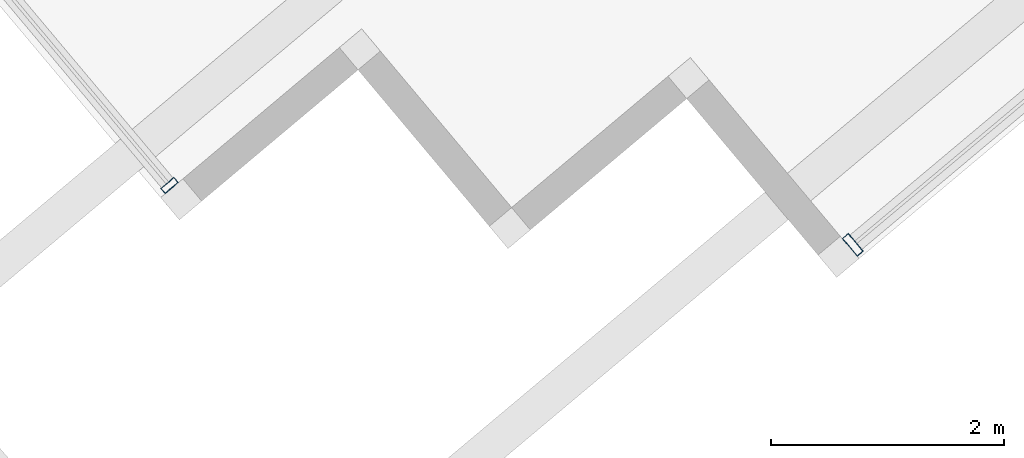
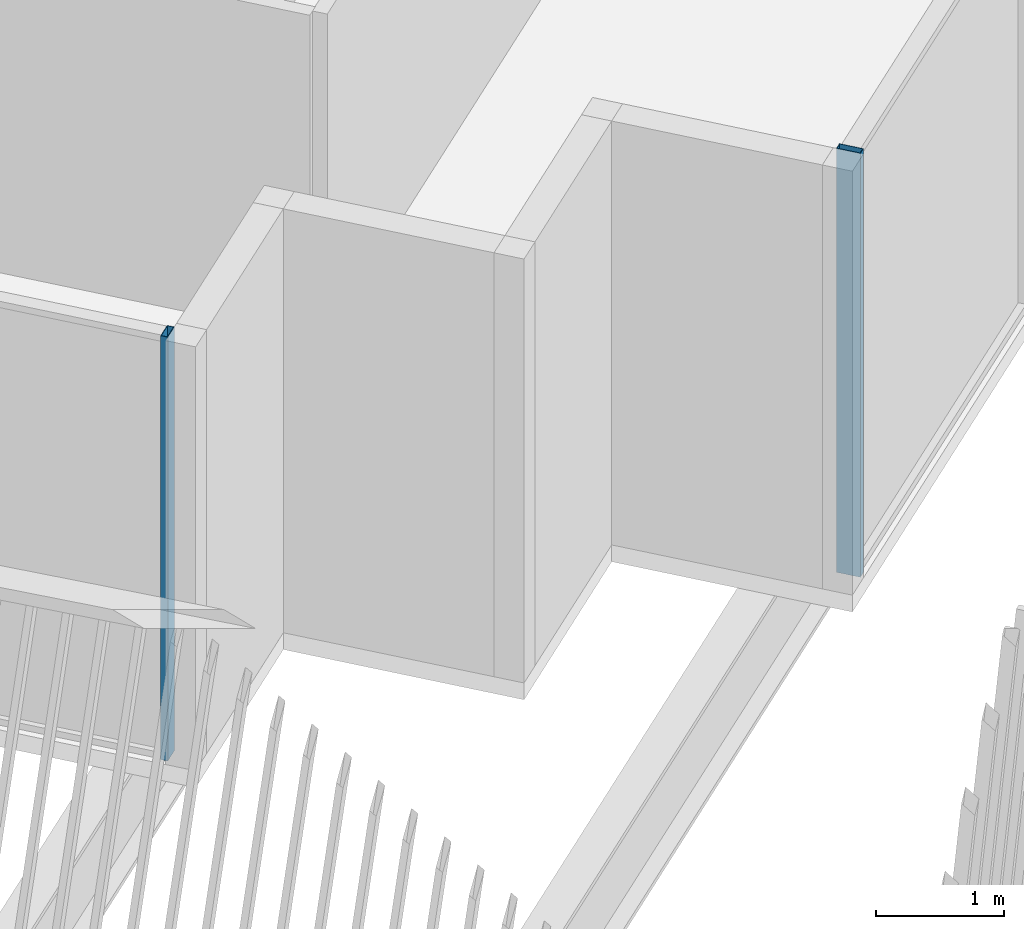
# One storey, part 10 of 31: 2 members, 2 elements without a shape of their own.
"""IFC4 building model written with IfcOpenShell, lengths in metres."""

from ifc_helpers import new_model, si_unit, direction, frame, origin, origin_2d, place, context, subcontext, project, spatial, hollow_rectangle, extrude, material, layer, layer_set, material_profile, profile_set, type_object, element, aggregate, save


model = new_model("IFC4")

# Units and contexts
model_context = context("Model", 3, precision=1e-05, world=origin(), true_north=direction((0.0, 1.0)))
body_context = subcontext(model_context, "Body", "Model", "MODEL_VIEW")
ifc_project = project(units=[si_unit("LENGTHUNIT", "METRE"), si_unit("AREAUNIT", "SQUARE_METRE"), si_unit("VOLUMEUNIT", "CUBIC_METRE"), si_unit("PLANEANGLEUNIT", "RADIAN"), si_unit("MASSUNIT", "GRAM", prefix="KILO")], contexts=[model_context])

# Site, building, storey
site_placement = place(None, origin())
site = spatial("IfcSite", under=ifc_project, at=site_placement, CompositionType="ELEMENT")
building_placement = place(site_placement, origin())
building = spatial("IfcBuilding", under=site, at=building_placement, Name="Tarsis Ring Headquarters", CompositionType="ELEMENT")
storey_placement = place(building_placement, frame((0.0, 0.0, 390.199951171875)))
storey = spatial("IfcBuildingStorey", under=building, at=storey_placement, Name="L92", CompositionType="ELEMENT", Elevation=390.199951171875)

# Curtain wall, member
ifc_material_1 = material(Name="Aluminium curtain wall", Category="aluminium")
ifc_layer_1 = layer(ifc_material_1, 0.199951171875)
ifc_layer_set_1 = layer_set([ifc_layer_1], Name="Curtain wall executive tip")
curtain_wall_type_1 = type_object("IfcCurtainWallType", Name="Curtain wall executive tip", PredefinedType="NOTDEFINED", material=ifc_layer_set_1)
curtain_wall_1_placement = place(storey_placement, origin())
curtain_wall_1 = element("IfcCurtainWall", 1, at=curtain_wall_1_placement, inside=storey, type_object=curtain_wall_type_1, Name="Curtain wall L92-11", PredefinedType="NOTDEFINED")
ifc_material_2 = material(Name="Aluminium mullion", Category="aluminium")
ifc_material_profile_1 = material_profile(ifc_material_2, hollow_rectangle(XDim=0.199951171875, YDim=0.070068359375, WallThickness=0.0048828125, at=origin_2d()), Name="RHS 200x70x5")
ifc_profile_set_1 = profile_set([ifc_material_profile_1], Name="Aluminium mullion")
member_type_1 = type_object("IfcMemberType", Name="Curtain wall mullion executive tip RHS 200x70x5", PredefinedType="MULLION", material=ifc_profile_set_1)
member_1_placement = place(storey_placement, frame((14.578857421875, -29.376708984375, 0.0), z_axis=(0.0, 0.0, 1.0), x_axis=(-0.642787677018, 0.766044386621, 0.0)))
member_1 = element("IfcMember", 2, at=member_1_placement, type_object=member_type_1, Name="CW-E mullion 1", PredefinedType="MULLION", context=body_context, shape_type="SweptSolid", body=[
    extrude(hollow_rectangle(XDim=0.199951171875, YDim=0.070068359375, WallThickness=0.0048828125, at=origin_2d()), origin(), (0.0, 0.0, 1.0), 4.0400390625),
])
aggregate(curtain_wall_1, [member_1])

ifc_layer_2 = layer(ifc_material_1, 0.14990234375)
ifc_layer_set_2 = layer_set([ifc_layer_2], Name="Curtain wall tower unit")
curtain_wall_type_2 = type_object("IfcCurtainWallType", Name="Curtain wall tower unit", PredefinedType="NOTDEFINED", material=ifc_layer_set_2)
curtain_wall_2_placement = place(storey_placement, origin())
curtain_wall_2 = element("IfcCurtainWall", 3, at=curtain_wall_2_placement, inside=storey, type_object=curtain_wall_type_2, Name="Curtain wall L92-06", PredefinedType="NOTDEFINED")
ifc_material_profile_2 = material_profile(ifc_material_2, hollow_rectangle(XDim=0.14990234375, YDim=0.06005859375, WallThickness=0.0048828125, at=origin_2d()), Name="RHS 150x60x5")
ifc_profile_set_2 = profile_set([ifc_material_profile_2], Name="Aluminium mullion")
member_type_2 = type_object("IfcMemberType", Name="Curtain wall mullion tower unit RHS 150x60x5", PredefinedType="MULLION", material=ifc_profile_set_2)
member_2_placement = place(storey_placement, frame((8.72119140625, -28.867919921875, 0.0), z_axis=(0.0, 0.0, 1.0), x_axis=(0.766044406097, 0.642787653808, 0.0)))
member_2 = element("IfcMember", 4, at=member_2_placement, type_object=member_type_2, Name="CW-T mullion 3", PredefinedType="MULLION", context=body_context, shape_type="SweptSolid", body=[
    extrude(hollow_rectangle(XDim=0.14990234375, YDim=0.06005859375, WallThickness=0.0048828125, at=origin_2d()), origin(), (0.0, 0.0, 1.0), 4.0400390625),
])
aggregate(curtain_wall_2, [member_2])

save(model, "model.ifc")
